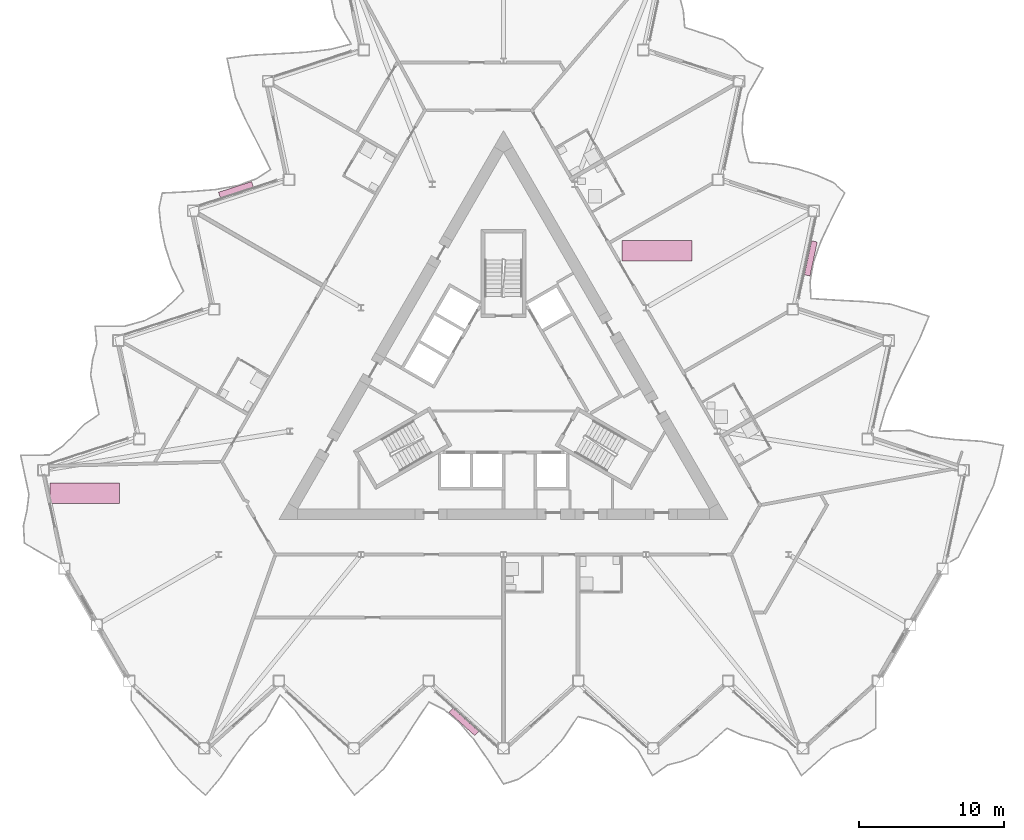
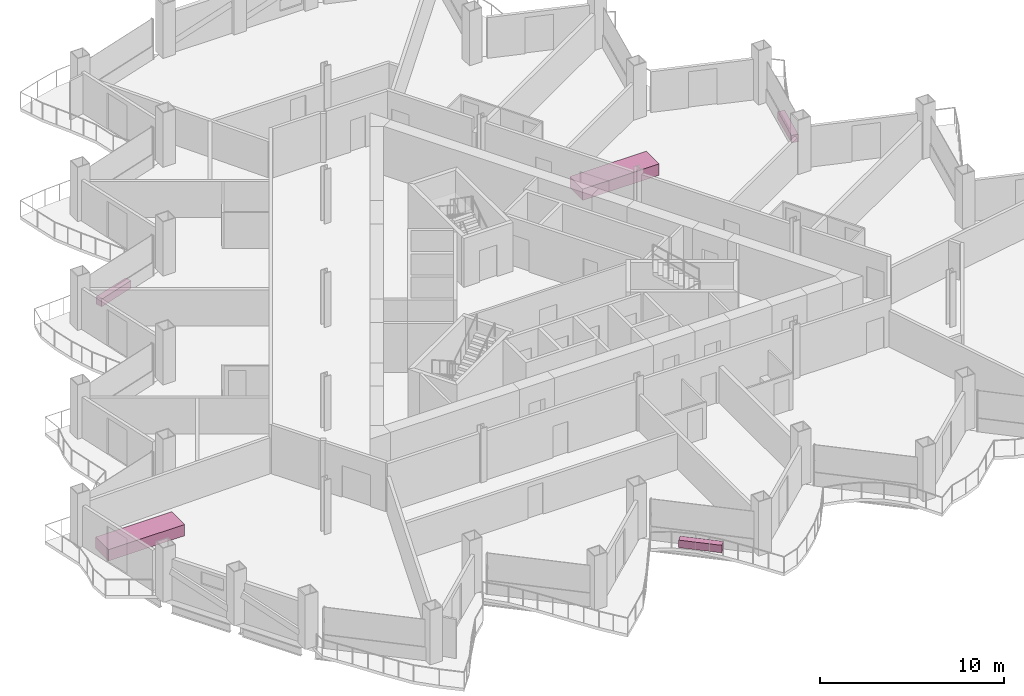
# One storey, part 22 of 22: 5 furniture elements.
"""IFC4 building model written with IfcOpenShell, lengths in metres."""

from ifc_helpers import new_model, si_unit, direction, frame, origin, origin_2d, place, context, subcontext, project, spatial, rectangle, extrude, material, type_object, element, save


model = new_model("IFC4")

# Units and contexts
model_context = context("Model", 3, precision=1e-05, world=origin(), true_north=direction((0.0, 1.0)))
body_context = subcontext(model_context, "Body", "Model", "MODEL_VIEW")
ifc_project = project(units=[si_unit("LENGTHUNIT", "METRE"), si_unit("AREAUNIT", "SQUARE_METRE"), si_unit("VOLUMEUNIT", "CUBIC_METRE"), si_unit("PLANEANGLEUNIT", "RADIAN"), si_unit("MASSUNIT", "GRAM", prefix="KILO")], contexts=[model_context])

# Site, building, storey
site_placement = place(None, origin())
site = spatial("IfcSite", under=ifc_project, at=site_placement, CompositionType="ELEMENT")
building_placement = place(site_placement, origin())
building = spatial("IfcBuilding", under=site, at=building_placement, Name="Cormorant Prow Tower", CompositionType="ELEMENT")
storey_placement = place(building_placement, frame((0.0, 0.0, 194.39990234375)))
storey = spatial("IfcBuildingStorey", under=building, at=storey_placement, Name="L42", CompositionType="ELEMENT", Elevation=194.39990234375)

# Furniture
ifc_material_1 = material(Name="Terracotta", Category="masonry")
furniture_type_1 = type_object("IfcFurnitureType", Name="Balcony planter 2400x400x500", AssemblyPlace="NOTDEFINED", PredefinedType="USERDEFINED", material=ifc_material_1)
for number, where, z_axis, x_axis, name in (
    (1, (-2.736572265625, -22.898193359375, 0.0), (0.0, 0.0, 1.0), (0.743144831959, -0.66913059916, 0.0), "Balcony planter S04"),
    (2, (21.19873046875, 9.0791015625, 0.0), (0.0, 0.0, 1.0), (0.207911629905, 0.978147613681, 0.0), "Balcony planter ENE04"),
    (3, (-18.462158203125, 13.819091796875, 0.0), (0.0, 0.0, 1.0), (-0.951056519963, -0.309016983088, 0.0), "Balcony planter WNW04"),
):
    element("IfcFurniture", number, at=place(storey_placement, frame(where, z_axis=z_axis, x_axis=x_axis)), inside=storey, type_object=furniture_type_1, Name=name, ObjectType="PLANTER", PredefinedType="USERDEFINED", context=body_context, shape_type="SweptSolid", body=[
        extrude(rectangle(XDim=2.39990234375, YDim=0.39990234375, at=origin_2d()), origin(), (0.0, 0.0, 1.0), 0.5),
    ])
ifc_material_2 = material(Name="Timber joinery", Category="wood")
furniture_type_2 = type_object("IfcFurnitureType", Name="Conference table 4800x1400", AssemblyPlace="NOTDEFINED", PredefinedType="TABLE", material=ifc_material_2)
for number, where, z_axis, x_axis, name in (
    (4, (10.589111328125, 9.60400390625, 0.0), (0.0, 0.0, 1.0), (1.0, 0.0, 0.0), "Conference table"),
    (5, (-28.888916015625, -7.12158203125, 0.0), (0.0, 0.0, 1.0), (1.0, 0.0, 0.0), "Conference table"),
):
    element("IfcFurniture", number, at=place(storey_placement, frame(where, z_axis=z_axis, x_axis=x_axis)), inside=storey, type_object=furniture_type_2, Name=name, PredefinedType="TABLE", context=body_context, shape_type="SweptSolid", body=[
        extrude(rectangle(XDim=4.800048828125, YDim=1.39990234375, at=origin_2d()), origin(), (0.0, 0.0, 1.0), 0.75),
    ])

save(model, "model.ifc")
